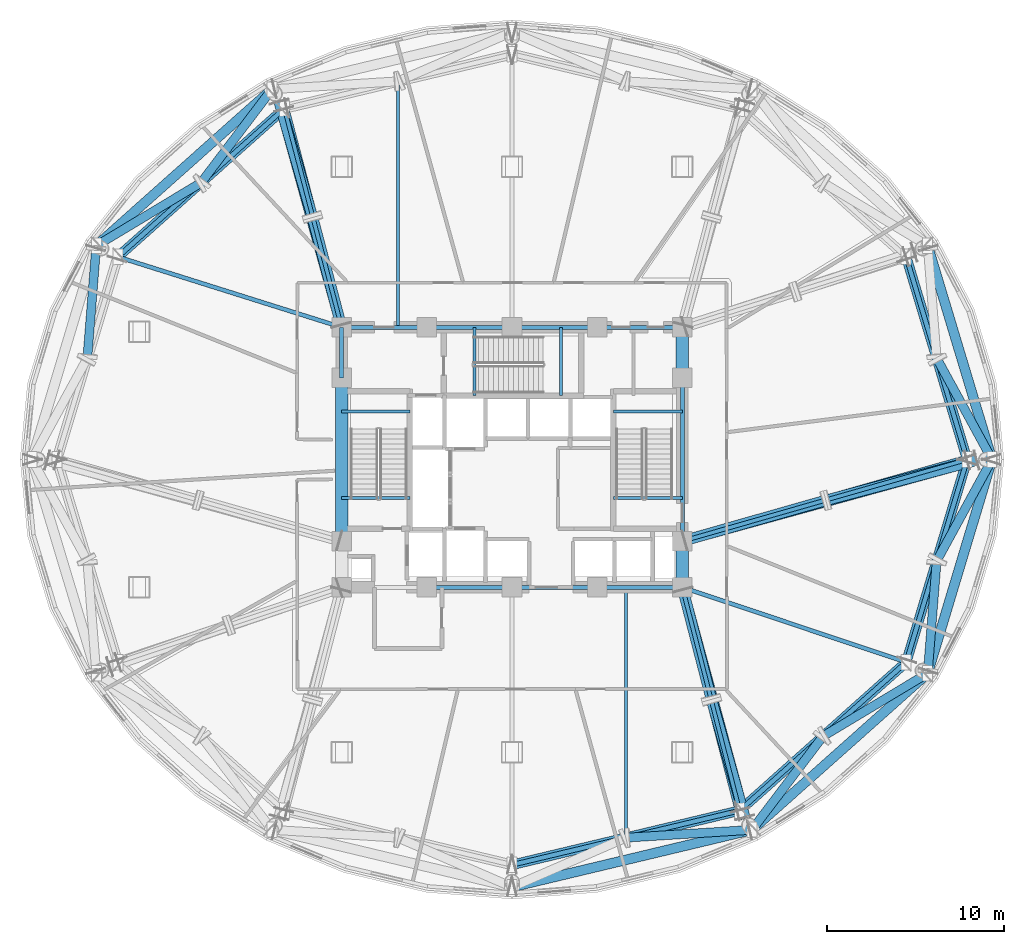
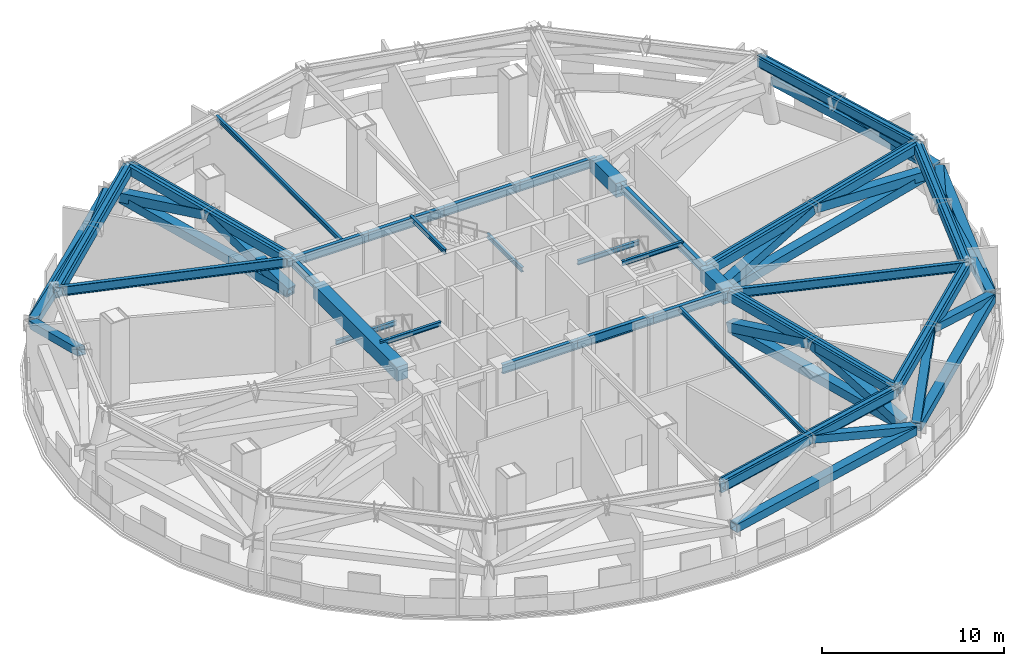
# One storey, part 2 of 14: 31 members, 30 beams.
"""IFC4 building model written with IfcOpenShell, lengths in metres."""

from ifc_helpers import new_model, si_unit, direction, frame, origin, origin_2d, place, context, subcontext, project, spatial, rectangle, hollow_rectangle, i_section, extrude, material, material_profile, profile_set, type_object, element, save


model = new_model("IFC4")

# Units and contexts
model_context = context("Model", 3, precision=1e-05, world=origin(), true_north=direction((0.0, 1.0)))
body_context = subcontext(model_context, "Body", "Model", "MODEL_VIEW")
ifc_project = project(units=[si_unit("LENGTHUNIT", "METRE"), si_unit("AREAUNIT", "SQUARE_METRE"), si_unit("VOLUMEUNIT", "CUBIC_METRE"), si_unit("PLANEANGLEUNIT", "RADIAN"), si_unit("MASSUNIT", "GRAM", prefix="KILO")], contexts=[model_context])

# Site, building, storey
site_placement = place(None, origin())
site = spatial("IfcSite", under=ifc_project, at=site_placement, CompositionType="ELEMENT")
building_placement = place(site_placement, origin())
building = spatial("IfcBuilding", under=site, at=building_placement, Name="Vantalir Tower", CompositionType="ELEMENT")
storey_placement = place(building_placement, frame((0.0, 0.0, 90.75)))
storey = spatial("IfcBuildingStorey", under=building, at=storey_placement, Name="L22", CompositionType="ELEMENT", Elevation=90.75)

# Beams
ifc_material_1 = material(Name="Concrete C60/75", Category="concrete")
ifc_material_profile_1 = material_profile(ifc_material_1, rectangle(XDim=0.699951171875, YDim=0.949951171875, at=origin_2d()), Name="Concrete C60/75")
ifc_profile_set_1 = profile_set([ifc_material_profile_1], Name="Concrete C60/75")
beam_type_1 = type_object("IfcBeamType", Name="BM-CB-700x950", PredefinedType="USERDEFINED", material=ifc_profile_set_1)
beam_1_placement = place(storey_placement, frame((41.10009765625, 17.800048828125, 4.7451171875), z_axis=(0.0, 1.0, 0.0), x_axis=(-1.0, 0.0, 0.0)))
element("IfcBeam", 1, at=beam_1_placement, inside=storey, type_object=beam_type_1, Name="L22 Core Coupling Girder 05", ObjectType="GIRDER", PredefinedType="USERDEFINED", context=body_context, shape_type="SweptSolid", body=[
    extrude(rectangle(XDim=0.699951171875, YDim=0.949951171875, at=origin_2d()), origin(), (0.0, 0.0, 1.0), 2.599853515625),
])
beam_2_placement = place(storey_placement, frame((41.10009765625, 29.60009765625, 4.7451171875), z_axis=(0.0, 1.0, 0.0), x_axis=(-1.0, 0.0, 0.0)))
element("IfcBeam", 2, at=beam_2_placement, inside=storey, type_object=beam_type_1, Name="L22 Core Coupling Girder 07", ObjectType="GIRDER", PredefinedType="USERDEFINED", context=body_context, shape_type="SweptSolid", body=[
    extrude(rectangle(XDim=0.699951171875, YDim=0.949951171875, at=origin_2d()), origin(), (0.0, 0.0, 1.0), 2.849853515625),
])
beam_3_placement = place(storey_placement, frame((21.89990234375, 29.60009765625, 4.7451171875), z_axis=(0.0, -1.0, 0.0), x_axis=(1.0, 0.0, 0.0)))
element("IfcBeam", 3, at=beam_3_placement, inside=storey, type_object=beam_type_1, Name="L22 Core Coupling Girder 13", ObjectType="GIRDER", PredefinedType="USERDEFINED", context=body_context, shape_type="SweptSolid", body=[
    extrude(rectangle(XDim=0.699951171875, YDim=0.949951171875, at=origin_2d()), origin(), (0.0, 0.0, 1.0), 9.2001953125),
])
ifc_material_2 = material(Name="Steel S355", Category="steel")
ifc_material_profile_2 = material_profile(ifc_material_2, i_section(OverallWidth=0.166015625, OverallDepth=0.306884765625, WebThickness=0.006591796875, FlangeThickness=0.01171875, at=origin_2d()), Name="Steel S355")
ifc_profile_set_2 = profile_set([ifc_material_profile_2], Name="Steel S355")
beam_type_2 = type_object("IfcBeamType", Name="BM-JS-305x165", PredefinedType="JOIST", material=ifc_profile_set_2)
beam_4_placement = place(storey_placement, frame((25.087890625, 46.26806640625, 5.06591796875), z_axis=(0.0, -1.0, 0.0), x_axis=(1.0, 0.0, 0.0)))
element("IfcBeam", 4, at=beam_4_placement, inside=storey, type_object=beam_type_2, Name="L22 Composite Trim Joist 01", PredefinedType="JOIST", context=body_context, shape_type="SweptSolid", body=[
    extrude(i_section(OverallWidth=0.166015625, OverallDepth=0.306884765625, WebThickness=0.006591796875, FlangeThickness=0.01171875, at=origin_2d()), origin(), (0.0, 0.0, 1.0), 13.77294921875),
])
beam_5_placement = place(storey_placement, frame((37.912109375, 3.73193359375, 5.06591796875), z_axis=(0.0, 1.0, 0.0), x_axis=(-1.0, 0.0, 0.0)))
element("IfcBeam", 5, at=beam_5_placement, inside=storey, type_object=beam_type_2, Name="L22 Composite Trim Joist 02", PredefinedType="JOIST", context=body_context, shape_type="SweptSolid", body=[
    extrude(i_section(OverallWidth=0.166015625, OverallDepth=0.306884765625, WebThickness=0.006591796875, FlangeThickness=0.01171875, at=origin_2d()), origin(), (0.0, 0.0, 1.0), 14.02294921875),
])
for number, where, z_axis, x_axis, name in (
    (6, (21.89990234375, 22.8349609375, 5.2470703125), (1.0, 0.0, 0.0), (0.0, 1.0, 0.0), "L23 Stair ST1 Well Nosing Trimmer Beam"),
    (7, (21.89990234375, 27.705078125, 2.345947265625), (1.0, 0.0, 0.0), (0.0, 1.0, 0.0), "L22 Stair ST1 Half-Landing Support Beam"),
):
    element("IfcBeam", number, at=place(storey_placement, frame(where, z_axis=z_axis, x_axis=x_axis)), inside=storey, type_object=beam_type_2, Name=name, PredefinedType="JOIST", context=body_context, shape_type="SweptSolid", body=[
        extrude(i_section(OverallWidth=0.166015625, OverallDepth=0.306884765625, WebThickness=0.006591796875, FlangeThickness=0.01171875, at=origin_2d()), origin(), (0.0, 0.0, 1.0), 3.840087890625),
    ])
for number, where, z_axis, x_axis, name in (
    (8, (37.2099609375, 22.8349609375, 5.2470703125), (1.0, 0.0, 0.0), (0.0, 1.0, 0.0), "L23 Stair ST2 Well Nosing Trimmer Beam"),
    (9, (37.2099609375, 27.705078125, 2.345947265625), (1.0, 0.0, 0.0), (0.0, 1.0, 0.0), "L22 Stair ST2 Half-Landing Support Beam"),
):
    element("IfcBeam", number, at=place(storey_placement, frame(where, z_axis=z_axis, x_axis=x_axis)), inside=storey, type_object=beam_type_2, Name=name, PredefinedType="JOIST", context=body_context, shape_type="SweptSolid", body=[
        extrude(i_section(OverallWidth=0.166015625, OverallDepth=0.306884765625, WebThickness=0.006591796875, FlangeThickness=0.01171875, at=origin_2d()), origin(), (0.0, 0.0, 1.0), 3.89013671875),
    ])
for number, where, z_axis, x_axis, name in (
    (10, (29.385009765625, 28.60009765625, 5.2470703125), (0.0, 1.0, 0.0), (-1.0, 0.0, 0.0), "L23 Stair ST3 Well Nosing Trimmer Beam"),
    (11, (34.2548828125, 28.60009765625, 2.345947265625), (0.0, 1.0, 0.0), (-1.0, 0.0, 0.0), "L22 Stair ST3 Half-Landing Support Beam"),
):
    element("IfcBeam", number, at=place(storey_placement, frame(where, z_axis=z_axis, x_axis=x_axis)), inside=storey, type_object=beam_type_2, Name=name, PredefinedType="JOIST", context=body_context, shape_type="SweptSolid", body=[
        extrude(i_section(OverallWidth=0.166015625, OverallDepth=0.306884765625, WebThickness=0.006591796875, FlangeThickness=0.01171875, at=origin_2d()), origin(), (0.0, 0.0, 1.0), 3.849853515625),
    ])
ifc_material_profile_3 = material_profile(ifc_material_2, i_section(OverallWidth=0.22998046875, OverallDepth=0.616943359375, WebThickness=0.01318359375, FlangeThickness=0.022216796875, at=origin_2d()), Name="Steel S355")
ifc_profile_set_3 = profile_set([ifc_material_profile_3], Name="Steel S355")
beam_type_3 = type_object("IfcBeamType", Name="BM-RB-610x229", PredefinedType="BEAM", material=ifc_profile_set_3)
for number, where, z_axis, x_axis, name in (
    (12, (26.699951171875, 17.800048828125, 4.912109375), (1.0, 0.0, 0.0), (0.0, 1.0, 0.0), "L22 Core Coupling Girder 02"),
    (13, (31.5, 17.800048828125, 4.912109375), (1.0, 0.0, 0.0), (0.0, 1.0, 0.0), "L22 Core Coupling Girder 03"),
    (14, (36.300048828125, 17.800048828125, 4.912109375), (1.0, 0.0, 0.0), (0.0, 1.0, 0.0), "L22 Core Coupling Girder 04"),
):
    element("IfcBeam", number, at=place(storey_placement, frame(where, z_axis=z_axis, x_axis=x_axis)), inside=storey, type_object=beam_type_3, Name=name, PredefinedType="BEAM", context=body_context, shape_type="SweptSolid", body=[
        extrude(i_section(OverallWidth=0.22998046875, OverallDepth=0.616943359375, WebThickness=0.01318359375, FlangeThickness=0.022216796875, at=origin_2d()), origin(), (0.0, 0.0, 1.0), 4.800048828125),
    ])
beam_6_placement = place(storey_placement, frame((41.10009765625, 20.39990234375, 4.912109375), z_axis=(0.0, 1.0, 0.0), x_axis=(-1.0, 0.0, 0.0)))
element("IfcBeam", 15, at=beam_6_placement, inside=storey, type_object=beam_type_3, Name="L22 Core Coupling Girder 06", PredefinedType="BEAM", context=body_context, shape_type="SweptSolid", body=[
    extrude(i_section(OverallWidth=0.22998046875, OverallDepth=0.616943359375, WebThickness=0.01318359375, FlangeThickness=0.022216796875, at=origin_2d()), origin(), (0.0, 0.0, 1.0), 9.2001953125),
])
for number, where, z_axis, x_axis, name in (
    (16, (41.10009765625, 32.449951171875, 4.912109375), (-1.0, 0.0, 0.0), (0.0, -1.0, 0.0), "L22 Core Coupling Girder 08"),
    (17, (36.300048828125, 32.449951171875, 4.912109375), (-1.0, 0.0, 0.0), (0.0, -1.0, 0.0), "L22 Core Coupling Girder 09"),
    (18, (31.5, 32.449951171875, 4.912109375), (-1.0, 0.0, 0.0), (0.0, -1.0, 0.0), "L22 Core Coupling Girder 10"),
    (19, (26.699951171875, 32.449951171875, 4.912109375), (-1.0, 0.0, 0.0), (0.0, -1.0, 0.0), "L22 Core Coupling Girder 11"),
):
    element("IfcBeam", number, at=place(storey_placement, frame(where, z_axis=z_axis, x_axis=x_axis)), inside=storey, type_object=beam_type_3, Name=name, PredefinedType="BEAM", context=body_context, shape_type="SweptSolid", body=[
        extrude(i_section(OverallWidth=0.22998046875, OverallDepth=0.616943359375, WebThickness=0.01318359375, FlangeThickness=0.022216796875, at=origin_2d()), origin(), (0.0, 0.0, 1.0), 4.800048828125),
    ])
beam_7_placement = place(storey_placement, frame((21.89990234375, 32.449951171875, 4.912109375), z_axis=(0.0, -1.0, 0.0), x_axis=(1.0, 0.0, 0.0)))
element("IfcBeam", 20, at=beam_7_placement, inside=storey, type_object=beam_type_3, Name="L22 Core Coupling Girder 12", PredefinedType="BEAM", context=body_context, shape_type="SweptSolid", body=[
    extrude(i_section(OverallWidth=0.22998046875, OverallDepth=0.616943359375, WebThickness=0.01318359375, FlangeThickness=0.022216796875, at=origin_2d()), origin(), (0.0, 0.0, 1.0), 2.849853515625),
])
beam_8_placement = place(storey_placement, frame((57.14990234375, 25.0, 4.912109375), z_axis=(-0.961295170272, -0.275520590177, 0.0), x_axis=(0.275520590177, -0.961295170272, 0.0)))
element("IfcBeam", 21, at=beam_8_placement, inside=storey, type_object=beam_type_3, Name="L22 Radial Floor Beam 01", PredefinedType="BEAM", context=body_context, shape_type="SweptSolid", body=[
    extrude(i_section(OverallWidth=0.22998046875, OverallDepth=0.616943359375, WebThickness=0.01318359375, FlangeThickness=0.022216796875, at=origin_2d()), origin(), (0.0, 0.0, 1.0), 16.696044921875),
])
beam_9_placement = place(storey_placement, frame((18.675048828125, 44.782958984375, 4.912109375), z_axis=(0.252976173327, -0.96747250903, 0.0), x_axis=(0.96747250903, 0.252976173327, 0.0)))
element("IfcBeam", 22, at=beam_9_placement, inside=storey, type_object=beam_type_3, Name="L22 Radial Floor Beam 05", PredefinedType="BEAM", context=body_context, shape_type="SweptSolid", body=[
    extrude(i_section(OverallWidth=0.22998046875, OverallDepth=0.616943359375, WebThickness=0.01318359375, FlangeThickness=0.022216796875, at=origin_2d()), origin(), (0.0, 0.0, 1.0), 12.74755859375),
])
beam_10_placement = place(storey_placement, frame((9.285888671875, 36.4208984375, 4.912109375), z_axis=(0.953852090489, -0.300276854701, 0.0), x_axis=(0.300276854701, 0.953852090489, 0.0)))
element("IfcBeam", 23, at=beam_10_placement, inside=storey, type_object=beam_type_3, Name="L22 Radial Floor Beam 06", PredefinedType="BEAM", context=body_context, shape_type="SweptSolid", body=[
    extrude(i_section(OverallWidth=0.22998046875, OverallDepth=0.616943359375, WebThickness=0.01318359375, FlangeThickness=0.022216796875, at=origin_2d()), origin(), (0.0, 0.0, 1.0), 13.224365234375),
])
beam_11_placement = place(storey_placement, frame((44.324951171875, 5.217041015625, 4.912109375), z_axis=(-0.248262752693, 0.968692730243, 0.0), x_axis=(-0.968692730243, -0.248262752693, 0.0)))
element("IfcBeam", 24, at=beam_11_placement, inside=storey, type_object=beam_type_3, Name="L22 Radial Floor Beam 11", PredefinedType="BEAM", context=body_context, shape_type="SweptSolid", body=[
    extrude(i_section(OverallWidth=0.22998046875, OverallDepth=0.616943359375, WebThickness=0.01318359375, FlangeThickness=0.022216796875, at=origin_2d()), origin(), (0.0, 0.0, 1.0), 12.98974609375),
])
beam_12_placement = place(storey_placement, frame((53.714111328125, 13.577880859375, 4.912109375), z_axis=(-0.948287951827, 0.317411342615, 0.0), x_axis=(-0.317411342615, -0.948287951827, 0.0)))
element("IfcBeam", 25, at=beam_12_placement, inside=storey, type_object=beam_type_3, Name="L22 Radial Floor Beam 12", PredefinedType="BEAM", context=body_context, shape_type="SweptSolid", body=[
    extrude(i_section(OverallWidth=0.22998046875, OverallDepth=0.616943359375, WebThickness=0.01318359375, FlangeThickness=0.022216796875, at=origin_2d()), origin(), (0.0, 0.0, 1.0), 13.302001953125),
])
ifc_material_3 = material(Name="Steel S460", Category="steel")
ifc_material_profile_4 = material_profile(ifc_material_3, i_section(OverallWidth=0.26806640625, OverallDepth=0.77001953125, WebThickness=0.015625, FlangeThickness=0.025390625, at=origin_2d()), Name="Steel S460")
ifc_profile_set_4 = profile_set([ifc_material_profile_4], Name="Steel S460")
beam_type_4 = type_object("IfcBeamType", Name="BM-RG-762x267", PredefinedType="USERDEFINED", material=ifc_profile_set_4)
beam_13_placement = place(storey_placement, frame((57.14990234375, 25.0, 4.8349609375), z_axis=(-0.28808022945, 0.957606276817, 0.0), x_axis=(-0.957606276817, -0.28808022945, 0.0)))
element("IfcBeam", 26, at=beam_13_placement, inside=storey, type_object=beam_type_4, Name="L22 Circumferential Ring Girder 01", ObjectType="GIRDER", PredefinedType="USERDEFINED", context=body_context, shape_type="SweptSolid", body=[
    extrude(i_section(OverallWidth=0.26806640625, OverallDepth=0.77001953125, WebThickness=0.015625, FlangeThickness=0.025390625, at=origin_2d()), origin(), (0.0, 0.0, 1.0), 11.926513671875),
])
beam_14_placement = place(storey_placement, frame((18.675048828125, 44.782958984375, 4.8349609375), z_axis=(-0.746771533629, -0.665080654177, 0.0), x_axis=(0.665080654177, -0.746771533629, 0.0)))
element("IfcBeam", 27, at=beam_14_placement, inside=storey, type_object=beam_type_4, Name="L22 Circumferential Ring Girder 05", ObjectType="GIRDER", PredefinedType="USERDEFINED", context=body_context, shape_type="SweptSolid", body=[
    extrude(i_section(OverallWidth=0.26806640625, OverallDepth=0.77001953125, WebThickness=0.015625, FlangeThickness=0.025390625, at=origin_2d()), origin(), (0.0, 0.0, 1.0), 12.572998046875),
])
beam_15_placement = place(storey_placement, frame((31.5, 2.156982421875, 4.8349609375), z_axis=(0.972695043045, 0.232086951886, 0.0), x_axis=(-0.232086951886, 0.972695043045, 0.0)))
element("IfcBeam", 28, at=beam_15_placement, inside=storey, type_object=beam_type_4, Name="L22 Circumferential Ring Girder 10", ObjectType="GIRDER", PredefinedType="USERDEFINED", context=body_context, shape_type="SweptSolid", body=[
    extrude(i_section(OverallWidth=0.26806640625, OverallDepth=0.77001953125, WebThickness=0.015625, FlangeThickness=0.025390625, at=origin_2d()), origin(), (0.0, 0.0, 1.0), 13.18505859375),
])
beam_16_placement = place(storey_placement, frame((44.324951171875, 5.217041015625, 4.8349609375), z_axis=(0.746819755438, 0.665026505402, 0.0), x_axis=(-0.665026505402, 0.746819755438, 0.0)))
element("IfcBeam", 29, at=beam_16_placement, inside=storey, type_object=beam_type_4, Name="L22 Circumferential Ring Girder 11", ObjectType="GIRDER", PredefinedType="USERDEFINED", context=body_context, shape_type="SweptSolid", body=[
    extrude(i_section(OverallWidth=0.26806640625, OverallDepth=0.77001953125, WebThickness=0.015625, FlangeThickness=0.025390625, at=origin_2d()), origin(), (0.0, 0.0, 1.0), 12.572265625),
])
beam_17_placement = place(storey_placement, frame((53.714111328125, 13.577880859375, 4.8349609375), z_axis=(0.288051996479, 0.957614769792, 0.0), x_axis=(-0.957614769792, 0.288051996479, 0.0)))
element("IfcBeam", 30, at=beam_17_placement, inside=storey, type_object=beam_type_4, Name="L22 Circumferential Ring Girder 12", ObjectType="GIRDER", PredefinedType="USERDEFINED", context=body_context, shape_type="SweptSolid", body=[
    extrude(i_section(OverallWidth=0.26806640625, OverallDepth=0.77001953125, WebThickness=0.015625, FlangeThickness=0.025390625, at=origin_2d()), origin(), (0.0, 0.0, 1.0), 11.927734375),
])

# Members
ifc_material_profile_5 = material_profile(ifc_material_3, hollow_rectangle(XDim=0.5, YDim=0.5, WallThickness=0.035888671875, at=origin_2d()), Name="Steel S460")
ifc_profile_set_5 = profile_set([ifc_material_profile_5], Name="Steel S460")
member_type_1 = type_object("IfcMemberType", Name="MEM-BT-500x36", PredefinedType="BRACE", material=ifc_profile_set_5)
member_1_placement = place(storey_placement, frame((58.48193359375, 25.125, 2.865966796875), z_axis=(-0.456055072068, 0.835264474129, 0.30715961567), x_axis=(-0.877693944881, -0.479221597092, 0.0)))
element("IfcMember", 31, at=member_1_placement, inside=storey, type_object=member_type_1, Name="L22 Belt Truss Web Diagonal 01A", PredefinedType="BRACE", context=body_context, shape_type="SweptSolid", body=[
    extrude(hollow_rectangle(XDim=0.5, YDim=0.5, WallThickness=0.035888671875, at=origin_2d()), origin(), (0.0, 0.0, 1.0), 6.56689453125),
])
member_2_placement = place(storey_placement, frame((17.888916015625, 45.7509765625, 2.864990234375), z_axis=(-0.576148074979, -0.759098172815, 0.303023694993), x_axis=(0.79654952425, -0.604573283743, 0.0)))
element("IfcMember", 32, at=member_2_placement, inside=storey, type_object=member_type_1, Name="L22 Belt Truss Web Diagonal 05A", PredefinedType="BRACE", context=body_context, shape_type="SweptSolid", body=[
    extrude(hollow_rectangle(XDim=0.5, YDim=0.5, WallThickness=0.035888671875, at=origin_2d()), origin(), (0.0, 0.0, 1.0), 6.6630859375),
])
member_3_placement = place(storey_placement, frame((8.197021484375, 37.1201171875, 2.864013671875), z_axis=(0.819541785012, 0.493428490332, 0.291341015904), x_axis=(-0.515804468848, 0.856706338202, 0.0)))
element("IfcMember", 33, at=member_3_placement, inside=storey, type_object=member_type_1, Name="L22 Belt Truss Web Diagonal 05B", PredefinedType="BRACE", context=body_context, shape_type="SweptSolid", body=[
    extrude(hollow_rectangle(XDim=0.5, YDim=0.5, WallThickness=0.035888671875, at=origin_2d()), origin(), (0.0, 0.0, 1.0), 6.936767578125),
])
member_4_placement = place(storey_placement, frame((8.06298828125, 36.904052734375, 2.866943359375), z_axis=(-0.075669963687, -0.946501645235, 0.313701597324), x_axis=(0.996819477071, -0.079692723211, 0.0)))
element("IfcMember", 34, at=member_4_placement, inside=storey, type_object=member_type_1, Name="L22 Belt Truss Web Diagonal 06A", PredefinedType="BRACE", context=body_context, shape_type="SweptSolid", body=[
    extrude(hollow_rectangle(XDim=0.5, YDim=0.5, WallThickness=0.035888671875, at=origin_2d()), origin(), (0.0, 0.0, 1.0), 6.423828125),
])
member_5_placement = place(storey_placement, frame((44.881103515625, 4.1259765625, 2.862060546875), z_axis=(-0.957313819647, -0.060322296322, 0.282686171008), x_axis=(0.062887315709, -0.998020633816, 0.0)))
element("IfcMember", 35, at=member_5_placement, inside=storey, type_object=member_type_1, Name="L22 Belt Truss Web Diagonal 10B", PredefinedType="BRACE", context=body_context, shape_type="SweptSolid", body=[
    extrude(hollow_rectangle(XDim=0.5, YDim=0.5, WallThickness=0.035888671875, at=origin_2d()), origin(), (0.0, 0.0, 1.0), 7.15966796875),
])
member_6_placement = place(storey_placement, frame((45.111083984375, 4.2490234375, 2.864990234375), z_axis=(0.576212180241, 0.759036052489, 0.303057411002), x_axis=(-0.796493300007, 0.604647354285, 0.0)))
element("IfcMember", 36, at=member_6_placement, inside=storey, type_object=member_type_1, Name="L22 Belt Truss Web Diagonal 11A", PredefinedType="BRACE", context=body_context, shape_type="SweptSolid", body=[
    extrude(hollow_rectangle(XDim=0.5, YDim=0.5, WallThickness=0.035888671875, at=origin_2d()), origin(), (0.0, 0.0, 1.0), 6.662353515625),
])
member_7_placement = place(storey_placement, frame((54.802978515625, 12.87890625, 2.864013671875), z_axis=(-0.819598711555, -0.493321976345, 0.291361252867), x_axis=(0.515696447278, -0.856771366389, 0.0)))
element("IfcMember", 37, at=member_7_placement, inside=storey, type_object=member_type_1, Name="L22 Belt Truss Web Diagonal 11B", PredefinedType="BRACE", context=body_context, shape_type="SweptSolid", body=[
    extrude(hollow_rectangle(XDim=0.5, YDim=0.5, WallThickness=0.035888671875, at=origin_2d()), origin(), (0.0, 0.0, 1.0), 6.936279296875),
])
member_8_placement = place(storey_placement, frame((54.93701171875, 13.094970703125, 2.866943359375), z_axis=(0.075669963687, 0.946501645235, 0.313701597324), x_axis=(-0.996819477071, 0.079692723211, 0.0)))
element("IfcMember", 38, at=member_8_placement, inside=storey, type_object=member_type_1, Name="L22 Belt Truss Web Diagonal 12A", PredefinedType="BRACE", context=body_context, shape_type="SweptSolid", body=[
    extrude(hollow_rectangle(XDim=0.5, YDim=0.5, WallThickness=0.035888671875, at=origin_2d()), origin(), (0.0, 0.0, 1.0), 6.423828125),
])
member_9_placement = place(storey_placement, frame((58.48193359375, 24.875, 2.865966796875), z_axis=(-0.455998430148, -0.835309425603, 0.307121466527), x_axis=(0.877729823972, -0.479155878718, 0.0)))
element("IfcMember", 39, at=member_9_placement, inside=storey, type_object=member_type_1, Name="L22 Belt Truss Web Diagonal 12B", PredefinedType="BRACE", context=body_context, shape_type="SweptSolid", body=[
    extrude(hollow_rectangle(XDim=0.5, YDim=0.5, WallThickness=0.035888671875, at=origin_2d()), origin(), (0.0, 0.0, 1.0), 6.567626953125),
])
ifc_material_profile_6 = material_profile(ifc_material_3, hollow_rectangle(XDim=0.550048828125, YDim=0.550048828125, WallThickness=0.035888671875, at=origin_2d()), Name="Steel S460")
ifc_profile_set_6 = profile_set([ifc_material_profile_6], Name="Steel S460")
member_type_2 = type_object("IfcMemberType", Name="MEM-CH-550x36", PredefinedType="CHORD", material=ifc_profile_set_6)
member_10_placement = place(storey_placement, frame((58.507080078125, 25.14404296875, 2.820068359375), z_axis=(-0.288144931553, 0.957586809861, 0.0), x_axis=(-0.957586809861, -0.288144931553, 0.0)))
element("IfcMember", 40, at=member_10_placement, inside=storey, type_object=member_type_2, Name="L22 Belt Truss Bottom Chord 01", PredefinedType="CHORD", context=body_context, shape_type="SweptSolid", body=[
    extrude(hollow_rectangle(XDim=0.550048828125, YDim=0.550048828125, WallThickness=0.035888671875, at=origin_2d()), origin(), (0.0, 0.0, 1.0), 12.27880859375),
])
member_11_placement = place(storey_placement, frame((57.10693359375, 25.14404296875, 4.919921875), z_axis=(-0.28813189294, 0.957590733179, 0.0), x_axis=(-0.957590733179, -0.28813189294, 0.0)))
element("IfcMember", 41, at=member_11_placement, inside=storey, type_object=member_type_2, Name="L22 Belt Truss Top Chord 01", PredefinedType="CHORD", context=body_context, shape_type="SweptSolid", body=[
    extrude(hollow_rectangle(XDim=0.550048828125, YDim=0.550048828125, WallThickness=0.035888671875, at=origin_2d()), origin(), (0.0, 0.0, 1.0), 11.626220703125),
])
member_12_placement = place(storey_placement, frame((17.863037109375, 45.764892578125, 2.820068359375), z_axis=(-0.74675306963, -0.665101385503, 0.0), x_axis=(0.665101385503, -0.74675306963, 0.0)))
element("IfcMember", 42, at=member_12_placement, inside=storey, type_object=member_type_2, Name="L22 Belt Truss Bottom Chord 05", PredefinedType="CHORD", context=body_context, shape_type="SweptSolid", body=[
    extrude(hollow_rectangle(XDim=0.550048828125, YDim=0.550048828125, WallThickness=0.035888671875, at=origin_2d()), origin(), (0.0, 0.0, 1.0), 12.958740234375),
])
member_13_placement = place(storey_placement, frame((18.56298828125, 44.68310546875, 4.919921875), z_axis=(-0.746785582201, -0.665064879705, 0.0), x_axis=(0.665064879705, -0.746785582201, 0.0)))
element("IfcMember", 43, at=member_13_placement, inside=storey, type_object=member_type_2, Name="L22 Belt Truss Top Chord 05", PredefinedType="CHORD", context=body_context, shape_type="SweptSolid", body=[
    extrude(hollow_rectangle(XDim=0.550048828125, YDim=0.550048828125, WallThickness=0.035888671875, at=origin_2d()), origin(), (0.0, 0.0, 1.0), 12.272705078125),
])
member_14_placement = place(storey_placement, frame((31.64599609375, 0.94189453125, 2.820068359375), z_axis=(0.972681688256, 0.232142915746, 0.0), x_axis=(-0.232142915746, 0.972681688256, 0.0)))
element("IfcMember", 44, at=member_14_placement, inside=storey, type_object=member_type_2, Name="L22 Belt Truss Bottom Chord 10", PredefinedType="CHORD", context=body_context, shape_type="SweptSolid", body=[
    extrude(hollow_rectangle(XDim=0.550048828125, YDim=0.550048828125, WallThickness=0.035888671875, at=origin_2d()), origin(), (0.0, 0.0, 1.0), 13.6044921875),
])
member_15_placement = place(storey_placement, frame((31.64599609375, 2.19189453125, 4.919921875), z_axis=(0.97270202374, 0.232057693284, 0.0), x_axis=(-0.232057693284, 0.97270202374, 0.0)))
element("IfcMember", 45, at=member_15_placement, inside=storey, type_object=member_type_2, Name="L22 Belt Truss Top Chord 10", PredefinedType="CHORD", context=body_context, shape_type="SweptSolid", body=[
    extrude(hollow_rectangle(XDim=0.550048828125, YDim=0.550048828125, WallThickness=0.035888671875, at=origin_2d()), origin(), (0.0, 0.0, 1.0), 12.884765625),
])
member_16_placement = place(storey_placement, frame((45.136962890625, 4.235107421875, 2.820068359375), z_axis=(0.74679049871, 0.665059359032, 0.0), x_axis=(-0.665059359032, 0.74679049871, 0.0)))
element("IfcMember", 46, at=member_16_placement, inside=storey, type_object=member_type_2, Name="L22 Belt Truss Bottom Chord 11", PredefinedType="CHORD", context=body_context, shape_type="SweptSolid", body=[
    extrude(hollow_rectangle(XDim=0.550048828125, YDim=0.550048828125, WallThickness=0.035888671875, at=origin_2d()), origin(), (0.0, 0.0, 1.0), 12.9580078125),
])
member_17_placement = place(storey_placement, frame((44.43701171875, 5.31689453125, 4.919921875), z_axis=(0.746825103397, 0.665020499636, 0.0), x_axis=(-0.665020499636, 0.746825103397, 0.0)))
element("IfcMember", 47, at=member_17_placement, inside=storey, type_object=member_type_2, Name="L22 Belt Truss Top Chord 11", PredefinedType="CHORD", context=body_context, shape_type="SweptSolid", body=[
    extrude(hollow_rectangle(XDim=0.550048828125, YDim=0.550048828125, WallThickness=0.035888671875, at=origin_2d()), origin(), (0.0, 0.0, 1.0), 12.27197265625),
])
member_18_placement = place(storey_placement, frame((54.968994140625, 13.096923828125, 2.820068359375), z_axis=(0.28812298834, 0.957593412462, 0.0), x_axis=(-0.957593412462, 0.28812298834, 0.0)))
element("IfcMember", 48, at=member_18_placement, inside=storey, type_object=member_type_2, Name="L22 Belt Truss Bottom Chord 12", PredefinedType="CHORD", context=body_context, shape_type="SweptSolid", body=[
    extrude(hollow_rectangle(XDim=0.550048828125, YDim=0.550048828125, WallThickness=0.035888671875, at=origin_2d()), origin(), (0.0, 0.0, 1.0), 12.27978515625),
])
member_19_placement = place(storey_placement, frame((53.757080078125, 13.721923828125, 4.919921875), z_axis=(0.288108718808, 0.957597705797, 0.0), x_axis=(-0.957597705797, 0.288108718808, 0.0)))
element("IfcMember", 49, at=member_19_placement, inside=storey, type_object=member_type_2, Name="L22 Belt Truss Top Chord 12", PredefinedType="CHORD", context=body_context, shape_type="SweptSolid", body=[
    extrude(hollow_rectangle(XDim=0.550048828125, YDim=0.550048828125, WallThickness=0.035888671875, at=origin_2d()), origin(), (0.0, 0.0, 1.0), 11.626953125),
])
ifc_material_profile_7 = material_profile(ifc_material_3, hollow_rectangle(XDim=0.580078125, YDim=0.580078125, WallThickness=0.0380859375, at=origin_2d()), Name="Steel S460")
ifc_profile_set_7 = profile_set([ifc_material_profile_7], Name="Steel S460")
member_type_3 = type_object("IfcMemberType", Name="MEM-CH-580x38", PredefinedType="CHORD", material=ifc_profile_set_7)
member_20_placement = place(storey_placement, frame((41.2451171875, 20.43994140625, 2.820068359375), z_axis=(0.96417452403, 0.265268707561, 0.0), x_axis=(-0.265268707561, 0.96417452403, 0.0)))
element("IfcMember", 50, at=member_20_placement, inside=storey, type_object=member_type_3, Name="L22 Outrigger Truss Bottom Chord 01", PredefinedType="CHORD", context=body_context, shape_type="SweptSolid", body=[
    extrude(hollow_rectangle(XDim=0.580078125, YDim=0.580078125, WallThickness=0.0380859375, at=origin_2d()), origin(), (0.0, 0.0, 1.0), 17.039306640625),
])
member_21_placement = place(storey_placement, frame((41.243896484375, 20.44091796875, 4.919921875), z_axis=(0.961855701099, 0.273557325371, 0.0), x_axis=(-0.273557325371, 0.961855701099, 0.0)))
element("IfcMember", 51, at=member_21_placement, inside=storey, type_object=member_type_3, Name="L22 Outrigger Truss Top Chord 01", PredefinedType="CHORD", context=body_context, shape_type="SweptSolid", body=[
    extrude(hollow_rectangle(XDim=0.580078125, YDim=0.580078125, WallThickness=0.0380859375, at=origin_2d()), origin(), (0.0, 0.0, 1.0), 16.515869140625),
])
member_22_placement = place(storey_placement, frame((21.860107421875, 32.594970703125, 2.820068359375), z_axis=(-0.266938504404, 0.963713564741, 0.0), x_axis=(-0.963713564741, -0.266938504404, 0.0)))
element("IfcMember", 52, at=member_22_placement, inside=storey, type_object=member_type_3, Name="L22 Outrigger Truss Bottom Chord 04", PredefinedType="CHORD", context=body_context, shape_type="SweptSolid", body=[
    extrude(hollow_rectangle(XDim=0.580078125, YDim=0.580078125, WallThickness=0.0380859375, at=origin_2d()), origin(), (0.0, 0.0, 1.0), 13.032958984375),
])
member_23_placement = place(storey_placement, frame((21.862060546875, 32.594970703125, 4.919921875), z_axis=(-0.255739178922, 0.966745815799, 0.0), x_axis=(-0.966745815799, -0.255739178922, 0.0)))
element("IfcMember", 53, at=member_23_placement, inside=storey, type_object=member_type_3, Name="L22 Outrigger Truss Top Chord 04", PredefinedType="CHORD", context=body_context, shape_type="SweptSolid", body=[
    extrude(hollow_rectangle(XDim=0.580078125, YDim=0.580078125, WallThickness=0.0380859375, at=origin_2d()), origin(), (0.0, 0.0, 1.0), 12.556396484375),
])
member_24_placement = place(storey_placement, frame((41.138916015625, 17.655029296875, 2.820068359375), z_axis=(0.262244268139, -0.965001525299, 0.0), x_axis=(0.965001525299, 0.262244268139, 0.0)))
element("IfcMember", 54, at=member_24_placement, inside=storey, type_object=member_type_3, Name="L22 Outrigger Truss Bottom Chord 08", PredefinedType="CHORD", context=body_context, shape_type="SweptSolid", body=[
    extrude(hollow_rectangle(XDim=0.580078125, YDim=0.580078125, WallThickness=0.0380859375, at=origin_2d()), origin(), (0.0, 0.0, 1.0), 13.274658203125),
])
member_25_placement = place(storey_placement, frame((41.137939453125, 17.655029296875, 4.919921875), z_axis=(0.250978046934, -0.967992778877, 0.0), x_axis=(0.967992778877, 0.250978046934, 0.0)))
element("IfcMember", 55, at=member_25_placement, inside=storey, type_object=member_type_3, Name="L22 Outrigger Truss Top Chord 08", PredefinedType="CHORD", context=body_context, shape_type="SweptSolid", body=[
    extrude(hollow_rectangle(XDim=0.580078125, YDim=0.580078125, WallThickness=0.0380859375, at=origin_2d()), origin(), (0.0, 0.0, 1.0), 12.798583984375),
])
ifc_material_profile_8 = material_profile(ifc_material_3, hollow_rectangle(XDim=0.60009765625, YDim=0.60009765625, WallThickness=0.0400390625, at=origin_2d()), Name="Steel S460")
ifc_profile_set_8 = profile_set([ifc_material_profile_8], Name="Steel S460")
member_type_4 = type_object("IfcMemberType", Name="MEM-OR-600x40", PredefinedType="BRACE", material=ifc_profile_set_8)
member_26_placement = place(storey_placement, frame((41.239990234375, 20.43994140625, 2.85595703125), z_axis=(0.933179379402, 0.265368160801, 0.24239633886), x_axis=(-0.27352542445, 0.961864773333, 0.0)))
element("IfcMember", 56, at=member_26_placement, inside=storey, type_object=member_type_4, Name="L22 Outrigger Truss Diagonal 01A", PredefinedType="BRACE", context=body_context, shape_type="SweptSolid", body=[
    extrude(hollow_rectangle(XDim=0.60009765625, YDim=0.60009765625, WallThickness=0.0400390625, at=origin_2d()), origin(), (0.0, 0.0, 1.0), 8.39599609375),
])
member_27_placement = place(storey_placement, frame((49.300048828125, 22.72998046875, 4.89306640625), z_axis=(0.940634050366, 0.250590875639, -0.228936227668), x_axis=(-0.257427791509, 0.966297538111, 0.0)))
element("IfcMember", 57, at=member_27_placement, inside=storey, type_object=member_type_4, Name="L22 Outrigger Truss Diagonal 01B", PredefinedType="BRACE", context=body_context, shape_type="SweptSolid", body=[
    extrude(hollow_rectangle(XDim=0.60009765625, YDim=0.60009765625, WallThickness=0.0400390625, at=origin_2d()), origin(), (0.0, 0.0, 1.0), 8.90673828125),
])
member_28_placement = place(storey_placement, frame((21.864013671875, 32.587890625, 2.866943359375), z_axis=(-0.243078844264, 0.918953854778, 0.310542248752), x_axis=(-0.966750402433, -0.255721839887, 0.0)))
element("IfcMember", 58, at=member_28_placement, inside=storey, type_object=member_type_4, Name="L22 Outrigger Truss Diagonal 04A", PredefinedType="BRACE", context=body_context, shape_type="SweptSolid", body=[
    extrude(hollow_rectangle(XDim=0.60009765625, YDim=0.60009765625, WallThickness=0.0400390625, at=origin_2d()), origin(), (0.0, 0.0, 1.0), 6.4921875),
])
member_29_placement = place(storey_placement, frame((20.22509765625, 38.77490234375, 4.885009765625), z_axis=(-0.265544841075, 0.919182870097, -0.290841518182), x_axis=(-0.960713312495, -0.277542665539, 0.0)))
element("IfcMember", 59, at=member_29_placement, inside=storey, type_object=member_type_4, Name="L22 Outrigger Truss Diagonal 04B", PredefinedType="BRACE", context=body_context, shape_type="SweptSolid", body=[
    extrude(hollow_rectangle(XDim=0.60009765625, YDim=0.60009765625, WallThickness=0.0400390625, at=origin_2d()), origin(), (0.0, 0.0, 1.0), 6.94873046875),
])
member_30_placement = place(storey_placement, frame((41.135986328125, 17.662109375, 2.865966796875), z_axis=(0.238974679598, -0.921796425678, 0.305258009097), x_axis=(0.967999341767, 0.250952733278, 0.0)))
element("IfcMember", 60, at=member_30_placement, inside=storey, type_object=member_type_4, Name="L22 Outrigger Truss Diagonal 08A", PredefinedType="BRACE", context=body_context, shape_type="SweptSolid", body=[
    extrude(hollow_rectangle(XDim=0.60009765625, YDim=0.60009765625, WallThickness=0.0400390625, at=origin_2d()), origin(), (0.0, 0.0, 1.0), 6.60791015625),
])
member_31_placement = place(storey_placement, frame((42.77490234375, 11.35009765625, 4.885986328125), z_axis=(0.261198475463, -0.921832248544, -0.286357577095), x_axis=(0.962123257462, 0.272614815172, 0.0)))
element("IfcMember", 61, at=member_31_placement, inside=storey, type_object=member_type_4, Name="L22 Outrigger Truss Diagonal 08B", PredefinedType="BRACE", context=body_context, shape_type="SweptSolid", body=[
    extrude(hollow_rectangle(XDim=0.60009765625, YDim=0.60009765625, WallThickness=0.0400390625, at=origin_2d()), origin(), (0.0, 0.0, 1.0), 7.064453125),
])

save(model, "model.ifc")
